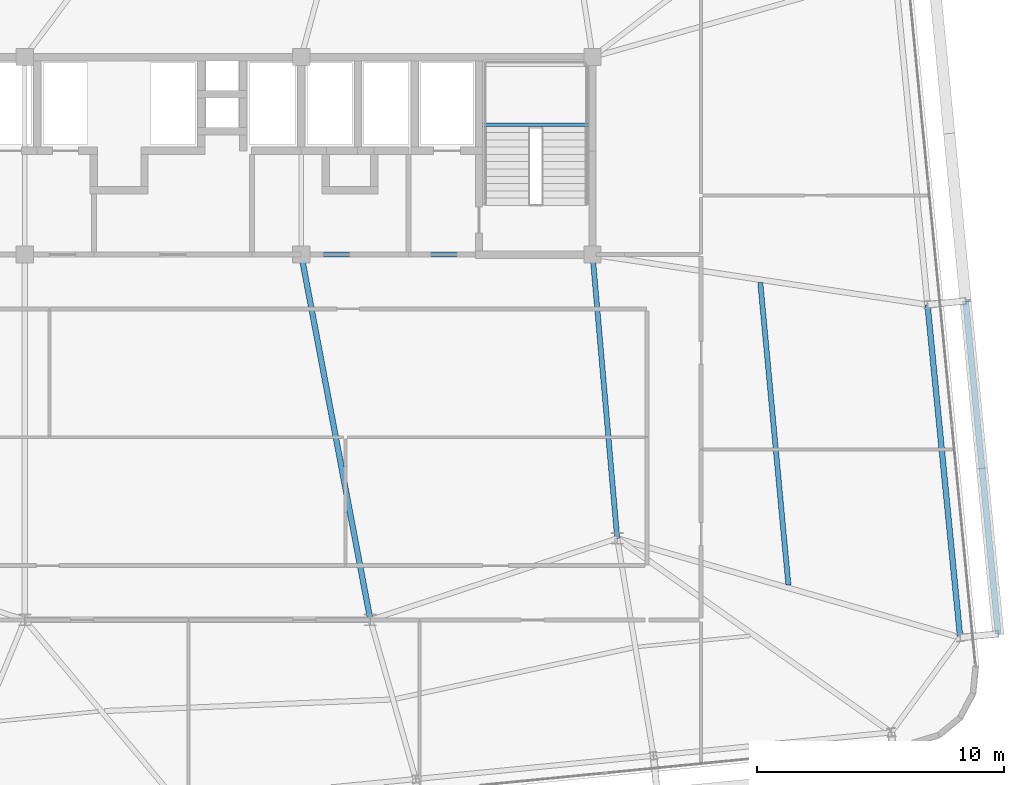
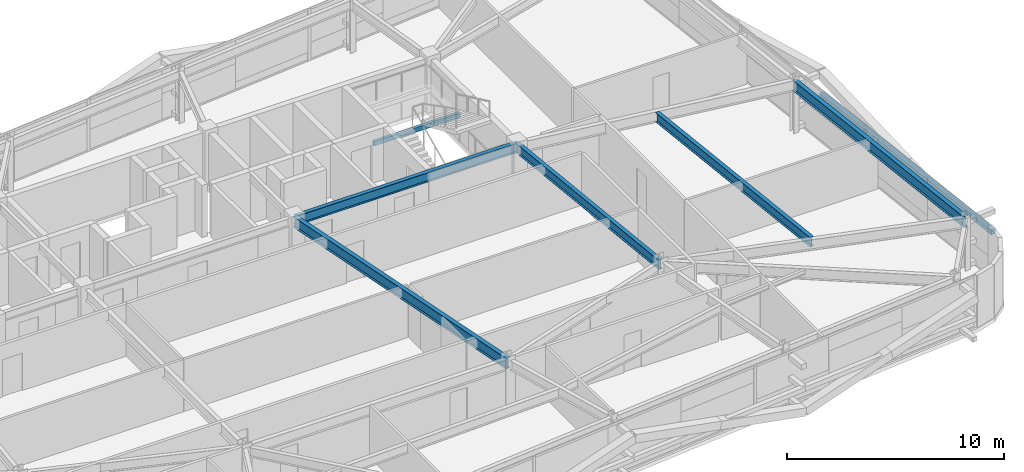
# One storey, part 20 of 47: 6 beams, 1 member.
"""IFC4 building model written with IfcOpenShell, lengths in metres."""

from ifc_helpers import new_model, si_unit, direction, frame, origin, origin_2d, place, context, subcontext, project, spatial, hollow_rectangle, i_section, extrude, source, transform, mapped, material, material_profile, profile_set, type_object, element, save


model = new_model("IFC4")

# Units and contexts
model_context = context("Model", 3, precision=1e-05, world=origin(), true_north=direction((0.0, 1.0)))
body_context = subcontext(model_context, "Body", "Model", "MODEL_VIEW")
ifc_project = project(units=[si_unit("LENGTHUNIT", "METRE"), si_unit("AREAUNIT", "SQUARE_METRE"), si_unit("VOLUMEUNIT", "CUBIC_METRE"), si_unit("PLANEANGLEUNIT", "RADIAN"), si_unit("MASSUNIT", "GRAM", prefix="KILO")], contexts=[model_context])

# Site, building, storey
site_placement = place(None, origin())
site = spatial("IfcSite", under=ifc_project, at=site_placement, CompositionType="ELEMENT")
building_placement = place(site_placement, origin())
building = spatial("IfcBuilding", under=site, at=building_placement, Name="Taldren Reach Tower", CompositionType="ELEMENT")
storey_placement = place(building_placement, frame((0.0, 0.0, 87.14990234375)))
storey = spatial("IfcBuildingStorey", under=building, at=storey_placement, Name="L26", CompositionType="ELEMENT", Elevation=87.14990234375)

# Beams
ifc_material_1 = material(Name="Steel Gr 350 (350PLUS)", Category="steel")
ifc_material_profile_1 = material_profile(ifc_material_1, i_section(OverallWidth=0.208984375, OverallDepth=0.532958984375, WebThickness=0.01025390625, FlangeThickness=0.015625, at=origin_2d()), Name="530UB92.4")
ifc_profile_set_1 = profile_set([ifc_material_profile_1], Name="Steel Gr 350 (350PLUS)")
beam_type_1 = type_object("IfcBeamType", Name="BM-UB530A", PredefinedType="BEAM", material=ifc_profile_set_1)
shared_shape_1 = source(origin(), body_context, "Body", "SweptSolid", [
    extrude(i_section(OverallWidth=0.208984375, OverallDepth=0.532958984375, WebThickness=0.01025390625, FlangeThickness=0.015625, at=origin_2d()), origin(), (0.0, 0.0, 1.0), 11.800048828125),
])
beam_1_placement = place(storey_placement, frame((39.199951171875, 24.0, 2.66357421875), z_axis=(1.0, 0.0, 0.0), x_axis=(0.0, 1.0, 0.0)))
element("IfcBeam", 1, at=beam_1_placement, inside=storey, type_object=beam_type_1, Name="Core-spine girder L26-SP03", PredefinedType="BEAM", context=body_context, shape_type="MappedRepresentation", body=[
    mapped(shared_shape_1, transform((0.0, 0.0, 0.0), scale=1.0)),
])
shared_shape_2 = source(origin(), body_context, "Body", "SweptSolid", [
    extrude(i_section(OverallWidth=0.208984375, OverallDepth=0.532958984375, WebThickness=0.01025390625, FlangeThickness=0.015625, at=origin_2d()), origin(), (0.0, 0.0, 1.0), 11.54345703125),
])
beam_2_placement = place(storey_placement, frame((52.0, 12.5, 2.66357421875), z_axis=(-0.086629616365, 0.996240588196, 0.0), x_axis=(-0.996240588196, -0.086629616365, 0.0)))
element("IfcBeam", 2, at=beam_2_placement, inside=storey, type_object=beam_type_1, Name="Core-spine girder L26-SP13", PredefinedType="BEAM", context=body_context, shape_type="MappedRepresentation", body=[
    mapped(shared_shape_2, transform((0.0, 0.0, 0.0), scale=1.0)),
])
ifc_material_profile_2 = material_profile(ifc_material_1, i_section(OverallWidth=0.22802734375, OverallDepth=0.60205078125, WebThickness=0.010498046875, FlangeThickness=0.014892578125, at=origin_2d()), Name="610UB101")
ifc_profile_set_2 = profile_set([ifc_material_profile_2], Name="Steel Gr 350 (350PLUS)")
beam_type_2 = type_object("IfcBeamType", Name="BM-UB610B", PredefinedType="BEAM", material=ifc_profile_set_2)
shared_shape_3 = source(origin(), body_context, "Body", "SweptSolid", [
    extrude(i_section(OverallWidth=0.22802734375, OverallDepth=0.60205078125, WebThickness=0.010498046875, FlangeThickness=0.014892578125, at=origin_2d()), origin(), (0.0, 0.0, 1.0), 15.0625),
])
beam_3_placement = place(storey_placement, frame((39.199951171875, 24.0, 2.629150390625), z_axis=(0.185894205668, -0.982569765614, 0.0), x_axis=(0.982569765614, 0.185894205668, 0.0)))
element("IfcBeam", 3, at=beam_3_placement, inside=storey, type_object=beam_type_2, Name="Core-spine girder L26-SP15", PredefinedType="BEAM", context=body_context, shape_type="MappedRepresentation", body=[
    mapped(shared_shape_3, transform((0.0, 0.0, 0.0), scale=1.0)),
])
shared_shape_4 = source(origin(), body_context, "Body", "SweptSolid", [
    extrude(i_section(OverallWidth=0.22802734375, OverallDepth=0.60205078125, WebThickness=0.010498046875, FlangeThickness=0.014892578125, at=origin_2d()), origin(), (0.0, 0.0, 1.0), 13.550048828125),
])
beam_4_placement = place(storey_placement, frame((65.8916015625, 8.483642578125, 2.629150390625), z_axis=(-0.097566175139, 0.995229039703, 0.0), x_axis=(-0.995229039703, -0.097566175139, 0.0)))
element("IfcBeam", 4, at=beam_4_placement, inside=storey, type_object=beam_type_2, Name="Perimeter gable girder B2 E1-E2 L26", PredefinedType="BEAM", context=body_context, shape_type="MappedRepresentation", body=[
    mapped(shared_shape_4, transform((0.0, 0.0, 0.0), scale=1.0)),
])
shared_shape_5 = source(origin(), body_context, "Body", "SweptSolid", [
    extrude(i_section(OverallWidth=0.208984375, OverallDepth=0.532958984375, WebThickness=0.01025390625, FlangeThickness=0.015625, at=origin_2d()), origin(), (0.0, 0.0, 1.0), 12.306396484375),
])
beam_5_placement = place(storey_placement, frame((58.9345703125, 10.61376953125, 2.66357421875), z_axis=(-0.092546068089, 0.995708403741, 0.0), x_axis=(-0.995708403741, -0.092546068089, 0.0)))
element("IfcBeam", 5, at=beam_5_placement, inside=storey, type_object=beam_type_1, Name="Secondary floor beam B2 J7 L26", PredefinedType="BEAM", context=body_context, shape_type="MappedRepresentation", body=[
    mapped(shared_shape_5, transform((0.0, 0.0, 0.0), scale=1.0)),
])

# Member
ifc_material_2 = material(Name="Steel Gr 350 (C350L0)", Category="steel")
ifc_material_profile_3 = material_profile(ifc_material_2, hollow_rectangle(XDim=0.25, YDim=0.25, WallThickness=0.010009765625, at=origin_2d()), Name="250x250x10.0SHS")
ifc_profile_set_3 = profile_set([ifc_material_profile_3], Name="Steel Gr 350 (C350L0)")
member_type = type_object("IfcMemberType", Name="MB-POST250", PredefinedType="POST", material=ifc_profile_set_3)
shared_shape_6 = source(origin(), body_context, "Body", "SweptSolid", [
    extrude(hollow_rectangle(XDim=0.25, YDim=0.25, WallThickness=0.010009765625, at=origin_2d()), origin(), (0.0, 0.0, 1.0), 13.550048828125),
])
member_placement = place(storey_placement, frame((67.434326171875, 8.634765625, 1.43505859375), z_axis=(-0.097584021339, 0.995227290009, 0.0), x_axis=(-0.995227290009, -0.097584021339, 0.0)))
element("IfcMember", 6, at=member_placement, inside=storey, type_object=member_type, Name="Exoskeleton mid-height ring chord B2-E1 L26", PredefinedType="POST", context=body_context, shape_type="MappedRepresentation", body=[
    mapped(shared_shape_6, transform((0.0, 0.0, 0.0), scale=1.0)),
])

# Beam
ifc_material_profile_4 = material_profile(ifc_material_2, hollow_rectangle(XDim=0.14990234375, YDim=0.25, WallThickness=0.009033203125, at=origin_2d()), Name="250x150x9.0RHS")
ifc_profile_set_4 = profile_set([ifc_material_profile_4], Name="Steel Gr 350 (C350L0)")
beam_type_3 = type_object("IfcBeamType", Name="LN-RHS250", PredefinedType="LINTEL", material=ifc_profile_set_4)
shared_shape_7 = source(origin(), body_context, "Body", "SweptSolid", [
    extrude(hollow_rectangle(XDim=0.14990234375, YDim=0.25, WallThickness=0.009033203125, at=origin_2d()), origin(), (0.0, 0.0, 1.0), 4.60009765625),
])
beam_6_placement = place(storey_placement, frame((46.39990234375, 29.2548828125, 1.27001953125), z_axis=(1.0, 0.0, 0.0), x_axis=(0.0, 1.0, 0.0)))
element("IfcBeam", 7, at=beam_6_placement, inside=storey, type_object=beam_type_3, Name="Stair half-landing support beam ST2-L26-1", PredefinedType="LINTEL", context=body_context, shape_type="MappedRepresentation", body=[
    mapped(shared_shape_7, transform((0.0, 0.0, 0.0), scale=1.0)),
])

save(model, "model.ifc")
